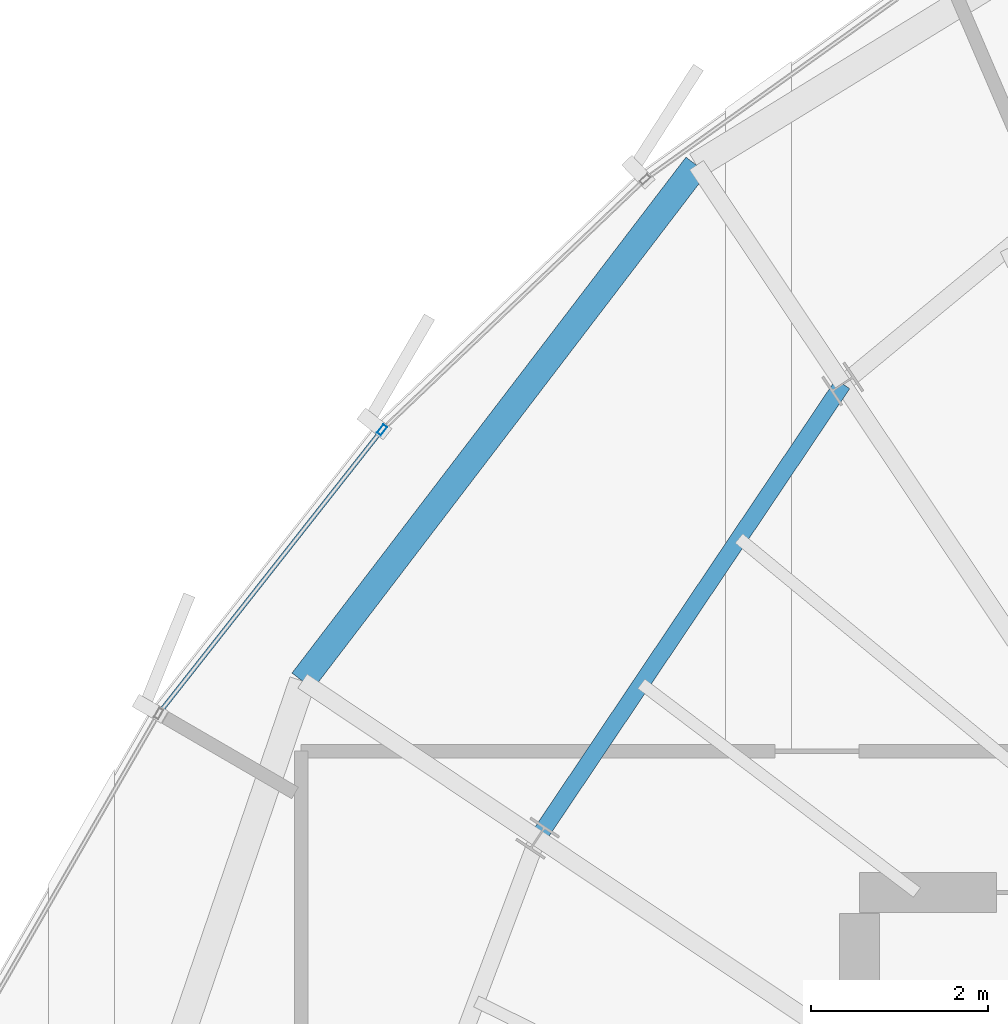
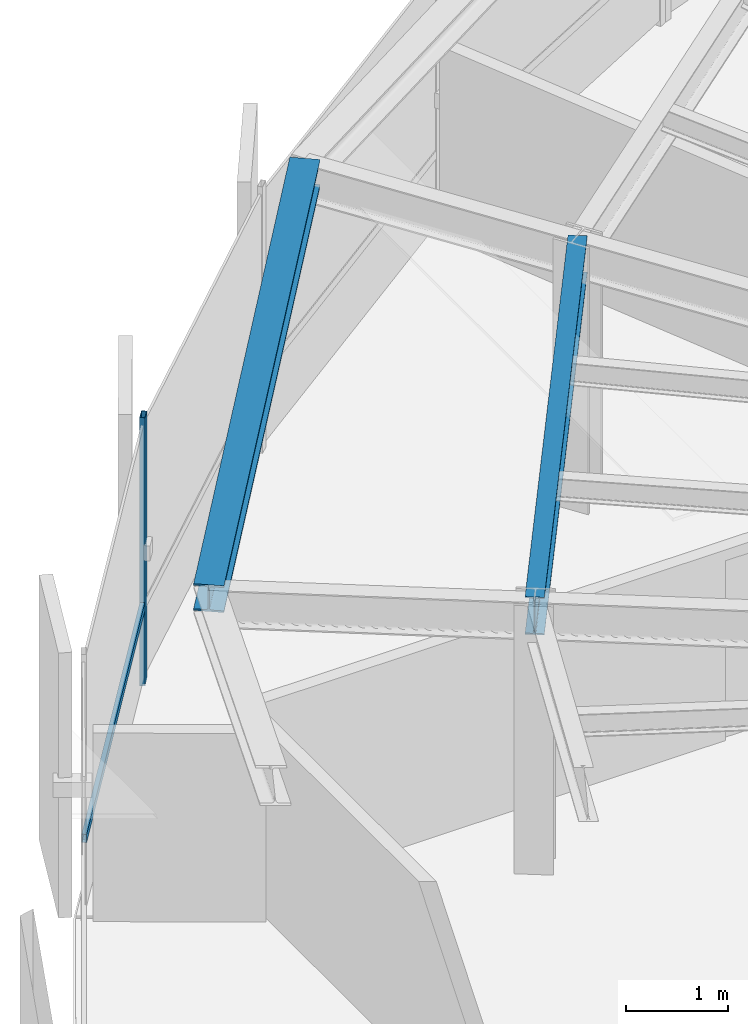
# One storey, part 19 of 36: 2 beams, 2 members, 1 element without a shape of its own.
"""IFC4 building model written with IfcOpenShell, lengths in metres."""

import ifcopenshell
import ifcopenshell.guid

model = None  # the IFC model being written
_history = None  # IfcOwnerHistory: only IFC2X3 demands one
_inside = {}  # id of a spatial element -> (the spatial element, [elements in it])
_under = {}  # id of a project, library or spatial element -> (it, [spatial elements below it])
_declared = {}  # id of a project -> (the project, [libraries it declares])
_typed = {}  # id of a type object -> (the type object, [elements of that type])
_made_of = {}  # id of a material, layer set ... -> (it, [elements and type objects made of it])


def new_model(schema):
    """Start an empty IFC model of exactly this schema.

    Asked for "IFC4X3", IfcOpenShell would pick the latest addendum, in which some entities
    have other attributes; the version numbers below select the first issue.
    IFC2X3 requires an IfcOwnerHistory on every rooted entity: one is made here for all.
    """
    global model, _history
    if schema == "IFC4X3":
        model = ifcopenshell.file(schema_version=(4, 3, 0, 0))
    else:
        model = ifcopenshell.file(schema=schema)
    _inside.clear()
    _under.clear()
    _declared.clear()
    _typed.clear()
    _made_of.clear()
    _history = None
    if model.schema == "IFC2X3":
        org = make("IfcOrganization", Name="unknown")
        user = make(
            "IfcPersonAndOrganization",
            ThePerson=make("IfcPerson", FamilyName="unknown"),
            TheOrganization=org,
        )
        app = make(
            "IfcApplication",
            ApplicationDeveloper=org,
            Version="unknown",
            ApplicationFullName="unknown",
            ApplicationIdentifier="unknown",
        )
        _history = make(
            "IfcOwnerHistory",
            OwningUser=user,
            OwningApplication=app,
            ChangeAction="ADDED",
            CreationDate=0,
        )
    return model


def make(cls, **values):
    """One entity of the class cls with the attributes given. An attribute that is None is left unset."""
    return model.create_entity(
        cls, **{name: value for name, value in values.items() if value is not None}
    )


def rooted(cls, **values):
    """An entity with a GlobalId (a new one), such as an element, a storey or a relation."""
    return make(cls, GlobalId=ifcopenshell.guid.new(), OwnerHistory=_history, **values)


def si_unit(unit_type, name, prefix=None):
    """IfcSIUnit, for example si_unit("LENGTHUNIT", "METRE", prefix="MILLI")."""
    return make("IfcSIUnit", UnitType=unit_type, Prefix=prefix, Name=name)


def assignment(units):
    """IfcUnitAssignment: the units of a project."""
    return None if units is None else make("IfcUnitAssignment", Units=units)


def point(xyz):
    """IfcCartesianPoint."""
    return None if xyz is None else make("IfcCartesianPoint", Coordinates=xyz)


def direction(xyz):
    """IfcDirection."""
    return None if xyz is None else make("IfcDirection", DirectionRatios=xyz)


def frame(location, z_axis=None, x_axis=None):
    """IfcAxis2Placement3D, a coordinate frame: its origin and axes. An axis left out is left unset."""
    return make(
        "IfcAxis2Placement3D",
        Location=point(location),
        Axis=direction(z_axis),
        RefDirection=direction(x_axis),
    )


def frame_2d(location, x_axis=None):
    """IfcAxis2Placement2D, a coordinate frame in the plane: its origin and x axis."""
    return make(
        "IfcAxis2Placement2D", Location=point(location), RefDirection=direction(x_axis)
    )


def origin():
    """The frame at (0, 0, 0) with its axes left unset."""
    return frame((0.0, 0.0, 0.0))


def origin_2d():
    """The frame at (0, 0) in the plane with its x axis left unset."""
    return frame_2d((0.0, 0.0))


def place(relative_to, where):
    """IfcLocalPlacement: puts the frame where relative to a parent placement (None: the world)."""
    return make(
        "IfcLocalPlacement", PlacementRelTo=relative_to, RelativePlacement=where
    )


def context(
    kind, dimensions, precision=None, world=None, true_north=None, identifier=None
):
    """IfcGeometricRepresentationContext, for example the 3D "Model" context."""
    return make(
        "IfcGeometricRepresentationContext",
        ContextIdentifier=identifier,
        ContextType=kind,
        CoordinateSpaceDimension=dimensions,
        Precision=precision,
        WorldCoordinateSystem=world,
        TrueNorth=true_north,
    )


def subcontext(parent, identifier, kind, view, scale=None):
    """IfcGeometricRepresentationSubContext, for example "Body" below "Model"."""
    return make(
        "IfcGeometricRepresentationSubContext",
        ContextIdentifier=identifier,
        ContextType=kind,
        ParentContext=parent,
        TargetScale=scale,
        TargetView=view,
    )


def project(units=None, contexts=None):
    """IfcProject with its units and contexts."""
    return rooted(
        "IfcProject",
        Name="project",
        RepresentationContexts=contexts,
        UnitsInContext=assignment(units),
    )


def spatial(cls, under=None, at=None, **own):
    """A site, building, storey or space (cls), placed at a placement, below another one or the project."""
    s = rooted(cls, ObjectPlacement=at, **own)
    if under is not None:
        _under.setdefault(under.id(), (under, []))[1].append(s)
    return s


def profile(cls, at=None, kind="AREA", **sizes):
    """A parametric profile (cls). Its sizes go by their IFC names, for example OverallWidth=200.0."""
    return make(cls, ProfileType=kind, Position=at, **sizes)


def hollow_rectangle(**sizes):
    """IfcRectangleHollowProfileDef."""
    return profile("IfcRectangleHollowProfileDef", **sizes)


def i_section(**sizes):
    """IfcIShapeProfileDef."""
    return profile("IfcIShapeProfileDef", **sizes)


def extrude(swept, where, along, depth):
    """IfcExtrudedAreaSolid: the profile swept, set in the frame where, extruded along a direction by depth."""
    return make(
        "IfcExtrudedAreaSolid",
        SweptArea=swept,
        Position=where,
        ExtrudedDirection=direction(along),
        Depth=depth,
    )


def shape(context_of_items, identifier, shape_type, items):
    """IfcShapeRepresentation: the items that make up one representation, for example the "Body"."""
    return make(
        "IfcShapeRepresentation",
        ContextOfItems=context_of_items,
        RepresentationIdentifier=identifier,
        RepresentationType=shape_type,
        Items=items,
    )


def source(mapping_origin, context_of_items, identifier, shape_type, items):
    """IfcRepresentationMap: a shape defined once, which mapped items show again and again."""
    return make(
        "IfcRepresentationMap",
        MappingOrigin=mapping_origin,
        MappedRepresentation=shape(context_of_items, identifier, shape_type, items),
    )


def transform(
    local_origin,
    x_axis=None,
    y_axis=None,
    z_axis=None,
    scale=None,
    scale2=None,
    scale3=None,
    uniform=True,
):
    """IfcCartesianTransformationOperator3D, or its non-uniform kind. x_axis, y_axis, z_axis: its Axis1, 2, 3."""
    if uniform:
        return make(
            "IfcCartesianTransformationOperator3D",
            Axis1=direction(x_axis),
            Axis2=direction(y_axis),
            LocalOrigin=point(local_origin),
            Scale=scale,
            Axis3=direction(z_axis),
        )
    return make(
        "IfcCartesianTransformationOperator3DnonUniform",
        Axis1=direction(x_axis),
        Axis2=direction(y_axis),
        LocalOrigin=point(local_origin),
        Scale=scale,
        Axis3=direction(z_axis),
        Scale2=scale2,
        Scale3=scale3,
    )


def mapped(mapping_source, mapping_target):
    """IfcMappedItem: shows the shape of a source again, moved by a transform."""
    return make(
        "IfcMappedItem", MappingSource=mapping_source, MappingTarget=mapping_target
    )


def material(Name=None, Category=None):
    """IfcMaterial."""
    return make("IfcMaterial", Name=Name, Category=Category)


def layer(
    of_material, thickness, ventilated=None, Name=None, Category=None, Priority=None
):
    """IfcMaterialLayer: one layer of a wall or slab, of a material (None: an air gap)."""
    return make(
        "IfcMaterialLayer",
        Material=of_material,
        LayerThickness=thickness,
        IsVentilated=ventilated,
        Name=Name,
        Category=Category,
        Priority=Priority,
    )


def layer_set(layers, Name=None):
    """IfcMaterialLayerSet."""
    return make("IfcMaterialLayerSet", MaterialLayers=layers, LayerSetName=Name)


def material_profile(
    of_material, cross_section, Name=None, Category=None, Priority=None
):
    """IfcMaterialProfile: a cross section and its material."""
    return make(
        "IfcMaterialProfile",
        Name=Name,
        Material=of_material,
        Profile=cross_section,
        Priority=Priority,
        Category=Category,
    )


def profile_set(profiles, Name=None, composite=None):
    """IfcMaterialProfileSet."""
    return make(
        "IfcMaterialProfileSet",
        Name=Name,
        MaterialProfiles=profiles,
        CompositeProfile=composite,
    )


def made_of(thing, what):
    """Note that an element or type object is made of a material, layer set ...; save() writes the relation."""
    if what is not None:
        _made_of.setdefault(what.id(), (what, []))[1].append(thing)
    return thing


def type_object(cls, material=None, **own):
    """A type object (cls), such as IfcWallType, which elements share."""
    return made_of(rooted(cls, **own), material)


def element(
    cls,
    number,
    at=None,
    inside=None,
    cuts=None,
    type_object=None,
    material=None,
    context=None,
    identifier="Body",
    shape_type=None,
    held_by="IfcProductDefinitionShape",
    body=None,
    shapes=None,
    **own,
):
    """One element of the class cls, such as IfcWall. Its Tag is "e" and its number.

    at: its placement. inside: the storey or other place that contains it. cuts: it is an
    opening in that element (IfcRelVoidsElement). A single representation is given by context,
    identifier, shape_type and body (its items); several are given by shapes. held_by: the class
    of the entity that holds the representations. save() writes the other relations.
    """
    e = rooted(cls, Tag="e%d" % number, ObjectPlacement=at, **own)
    if body is not None:
        shapes = [shape(context, identifier, shape_type, body)]
    if shapes is not None:
        e.Representation = make(held_by, Representations=shapes)
    if inside is not None:
        _inside.setdefault(inside.id(), (inside, []))[1].append(e)
    if cuts is not None:
        rooted(
            "IfcRelVoidsElement", RelatingBuildingElement=cuts, RelatedOpeningElement=e
        )
    if type_object is not None:
        _typed.setdefault(type_object.id(), (type_object, []))[1].append(e)
    return made_of(e, material)


def aggregate(whole, parts):
    """IfcRelAggregates: a whole, such as a stair, and the parts it consists of."""
    return rooted("IfcRelAggregates", RelatingObject=whole, RelatedObjects=parts)


def save(model, path):
    """Write the relations noted so far, then the file.

    IfcRelAggregates (storeys below a building ...), IfcRelContainedInSpatialStructure (elements
    in a storey), IfcRelDefinesByType, IfcRelAssociatesMaterial and IfcRelDeclares: one each for
    every whole, place, type object, material and project.
    """
    for whole, parts in _under.values():
        aggregate(whole, parts)
    for where, things in _inside.values():
        rooted(
            "IfcRelContainedInSpatialStructure",
            RelatedElements=things,
            RelatingStructure=where,
        )
    for kind, things in _typed.values():
        rooted("IfcRelDefinesByType", RelatedObjects=things, RelatingType=kind)
    for what, things in _made_of.values():
        rooted("IfcRelAssociatesMaterial", RelatedObjects=things, RelatingMaterial=what)
    for by, libraries in _declared.values():
        rooted("IfcRelDeclares", RelatingContext=by, RelatedDefinitions=libraries)
    model.write(path)


model = new_model("IFC4")

# Units and contexts
model_context = context("Model", 3, precision=1e-05, world=origin(), true_north=direction((0.0, 1.0)))
body_context = subcontext(model_context, "Body", "Model", "MODEL_VIEW")
ifc_project = project(units=[si_unit("LENGTHUNIT", "METRE"), si_unit("AREAUNIT", "SQUARE_METRE"), si_unit("VOLUMEUNIT", "CUBIC_METRE"), si_unit("PLANEANGLEUNIT", "RADIAN"), si_unit("MASSUNIT", "GRAM", prefix="KILO"), si_unit("THERMODYNAMICTEMPERATUREUNIT", "KELVIN")], contexts=[model_context])

# Site, building, storey
site_placement = place(None, origin())
site = spatial("IfcSite", under=ifc_project, at=site_placement, CompositionType="ELEMENT")
building_placement = place(site_placement, origin())
building = spatial("IfcBuilding", under=site, at=building_placement, Name="Kethvar Cultural Tower", CompositionType="ELEMENT")
storey_placement = place(building_placement, frame((0.0, 0.0, 228.39990234375)))
storey = spatial("IfcBuildingStorey", under=building, at=storey_placement, Name="L59", CompositionType="ELEMENT", Elevation=228.39990234375)

# Beams
ifc_material_1 = material(Name="Steel S355J2", Category="steel")
ifc_material_profile_1 = material_profile(ifc_material_1, i_section(OverallWidth=0.18994140625, OverallDepth=0.449951171875, WebThickness=0.009521484375, FlangeThickness=0.0146484375, FilletRadius=0.02099609375, at=origin_2d()), Name="Steel S355J2 — IPE450")
ifc_profile_set_1 = profile_set([ifc_material_profile_1], Name="Steel S355J2 — IPE450")
beam_type_1 = type_object("IfcBeamType", Name="BM-IPE450", PredefinedType="BEAM", material=ifc_profile_set_1)
shared_shape_1 = source(origin(), body_context, "Body", "SweptSolid", [
    extrude(i_section(OverallWidth=0.18994140625, OverallDepth=0.449951171875, WebThickness=0.009521484375, FlangeThickness=0.0146484375, FilletRadius=0.02099609375, at=origin_2d()), origin(), (0.0, 0.0, 1.0), 6.192626953125),
])
beam_1_placement = place(storey_placement, frame((37.8095703125, 41.255126953125, 2.983154296875), z_axis=(-0.557698912025, -0.830043326295, 0.0), x_axis=(0.830043326295, -0.557698912025, 0.0)))
element("IfcBeam", 1, at=beam_1_placement, inside=storey, type_object=beam_type_1, Name="L59 Column Ring Tie Beam CR-06", PredefinedType="BEAM", context=body_context, shape_type="MappedRepresentation", body=[
    mapped(shared_shape_1, transform((0.0, 0.0, 0.0), scale=1.0)),
])
ifc_material_profile_2 = material_profile(ifc_material_1, i_section(OverallWidth=0.300048828125, OverallDepth=0.320068359375, WebThickness=0.011474609375, FlangeThickness=0.0205078125, FilletRadius=0.027099609375, at=origin_2d()), Name="Steel S355J2 — HEB320")
ifc_profile_set_2 = profile_set([ifc_material_profile_2], Name="Steel S355J2 — HEB320")
beam_type_2 = type_object("IfcBeamType", Name="BM-SP320", PredefinedType="SPANDREL", material=ifc_profile_set_2)
shared_shape_2 = source(origin(), body_context, "Body", "SweptSolid", [
    extrude(i_section(OverallWidth=0.300048828125, OverallDepth=0.320068359375, WebThickness=0.011474609375, FlangeThickness=0.0205078125, FilletRadius=0.027099609375, at=origin_2d()), origin(), (0.0, 0.0, 1.0), 7.34716796875),
])
beam_2_placement = place(storey_placement, frame((36.15478515625, 43.7314453125, 3.048095703125), z_axis=(-0.60697389942, -0.794721766043, 0.0), x_axis=(0.794721766043, -0.60697389942, 0.0)))
element("IfcBeam", 2, at=beam_2_placement, inside=storey, type_object=beam_type_2, Name="L59 Perimeter Spandrel Beam SP-06", PredefinedType="SPANDREL", context=body_context, shape_type="MappedRepresentation", body=[
    mapped(shared_shape_2, transform((0.0, 0.0, 0.0), scale=1.0)),
])

# Curtain wall, members
ifc_material_2 = material(Name="Aluminium 6063-T6", Category="aluminium")
ifc_layer = layer(ifc_material_2, 0.179931640625, Name="Aluminium 6063-T6", Category="aluminium")
ifc_layer_set = layer_set([ifc_layer], Name="Aluminium 6063-T6 (180 mm)")
curtain_wall_type = type_object("IfcCurtainWallType", Name="CW-SYS-05-Z56", PredefinedType="NOTDEFINED", material=ifc_layer_set)
curtain_wall_placement = place(storey_placement, origin())
curtain_wall = element("IfcCurtainWall", 3, at=curtain_wall_placement, inside=storey, type_object=curtain_wall_type, Name="L59 Curtain Wall Run 02", PredefinedType="NOTDEFINED")
ifc_material_profile_3 = material_profile(ifc_material_2, hollow_rectangle(XDim=0.054931640625, YDim=0.1201171875, WallThickness=0.00390625, at=origin_2d()), Name="Aluminium 6063-T6 — RHS120x55x4")
ifc_profile_set_3 = profile_set([ifc_material_profile_3], Name="Aluminium 6063-T6 — RHS120x55x4")
member_type_1 = type_object("IfcMemberType", Name="CW-SYS-05-Z56-MUL", PredefinedType="MULLION", material=ifc_profile_set_3)
shared_shape_3 = source(origin(), body_context, "Body", "SweptSolid", [
    extrude(hollow_rectangle(XDim=0.054931640625, YDim=0.1201171875, WallThickness=0.00390625, at=origin_2d()), origin(), (0.0, 0.0, 1.0), 3.210205078125),
])
member_1_placement = place(storey_placement, frame((32.5947265625, 40.735595703125, 0.0), z_axis=(0.0, 0.0, 1.0), x_axis=(0.785878479222, -0.6183809634, 0.0)))
member_1 = element("IfcMember", 4, at=member_1_placement, type_object=member_type_1, Name="CW-L59-R02 Mullion 4", PredefinedType="MULLION", context=body_context, shape_type="MappedRepresentation", body=[
    mapped(shared_shape_3, transform((0.0, 0.0, 0.0), scale=1.0)),
])
ifc_material_profile_4 = material_profile(ifc_material_2, hollow_rectangle(XDim=0.050048828125, YDim=0.10009765625, WallThickness=0.00390625, at=origin_2d()), Name="Aluminium 6063-T6 — RHS100x50x4")
ifc_profile_set_4 = profile_set([ifc_material_profile_4], Name="Aluminium 6063-T6 — RHS100x50x4")
member_type_2 = type_object("IfcMemberType", Name="CW-SYS-05-Z56-TRN", PredefinedType="USERDEFINED", material=ifc_profile_set_4)
shared_shape_4 = source(origin(), body_context, "Body", "SweptSolid", [
    extrude(hollow_rectangle(XDim=0.050048828125, YDim=0.10009765625, WallThickness=0.00390625, at=origin_2d()), origin(), (0.0, 0.0, 1.0), 4.022216796875),
])
member_2_placement = place(storey_placement, frame((32.5703125, 40.704345703125, 0.9501953125), z_axis=(-0.618397735824, -0.785865281284, 0.0), x_axis=(0.785865281284, -0.618397735824, 0.0)))
member_2 = element("IfcMember", 5, at=member_2_placement, type_object=member_type_2, Name="CW-L59-R02 Transom 4", ObjectType="TRANSOM", PredefinedType="USERDEFINED", context=body_context, shape_type="MappedRepresentation", body=[
    mapped(shared_shape_4, transform((0.0, 0.0, 0.0), scale=1.0)),
])
aggregate(curtain_wall, [member_1, member_2])

save(model, "model.ifc")
